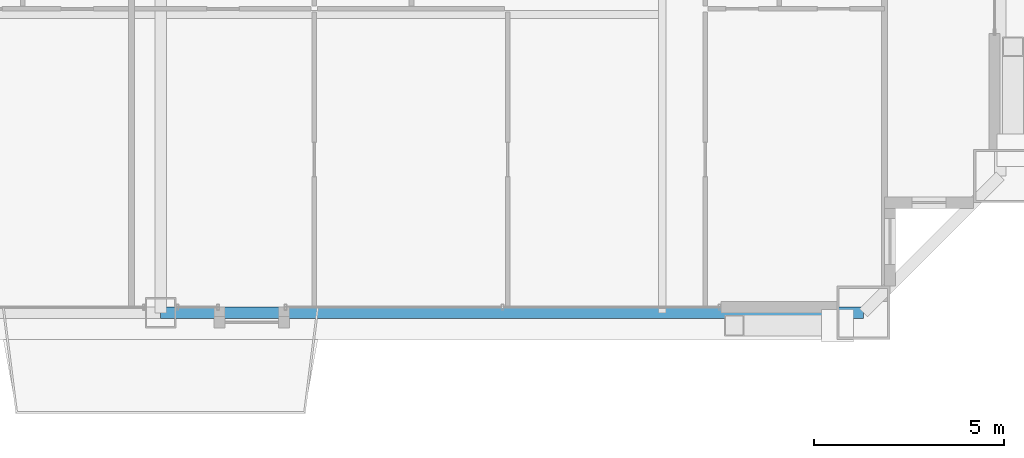
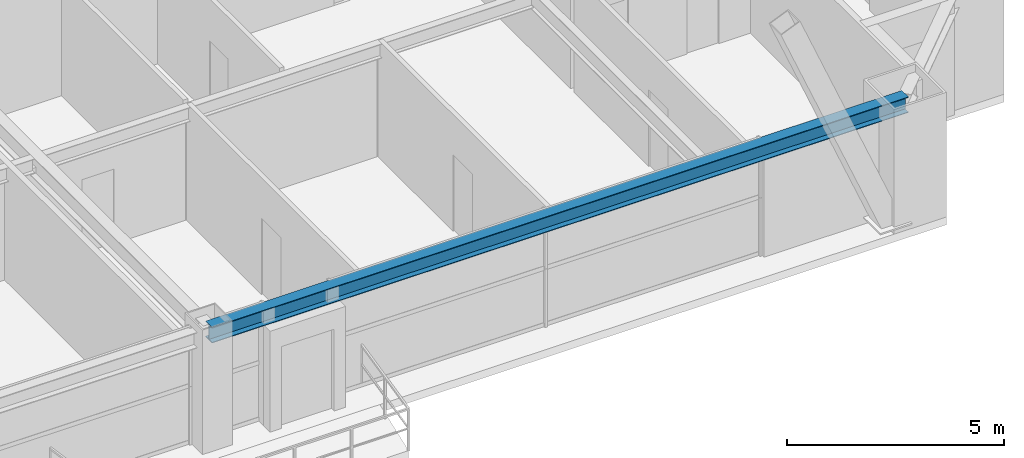
# One storey, part 11 of 45: 1 beam.
"""IFC4 building model written with IfcOpenShell, lengths in metres."""

from ifc_helpers import new_model, si_unit, direction, frame, origin, origin_2d, place, context, subcontext, project, spatial, i_section, extrude, source, transform, mapped, material, material_profile, profile_set, type_object, element, save


model = new_model("IFC4")

# Units and contexts
model_context = context("Model", 3, precision=1e-05, world=origin(), true_north=direction((0.0, 1.0)))
body_context = subcontext(model_context, "Body", "Model", "MODEL_VIEW")
ifc_project = project(units=[si_unit("LENGTHUNIT", "METRE"), si_unit("AREAUNIT", "SQUARE_METRE"), si_unit("VOLUMEUNIT", "CUBIC_METRE"), si_unit("PLANEANGLEUNIT", "RADIAN"), si_unit("MASSUNIT", "GRAM", prefix="KILO"), si_unit("THERMODYNAMICTEMPERATUREUNIT", "KELVIN"), si_unit("POWERUNIT", "WATT")], contexts=[model_context])

# Site, building, storey
site_placement = place(None, origin())
site = spatial("IfcSite", under=ifc_project, at=site_placement, CompositionType="ELEMENT")
building_placement = place(site_placement, origin())
building = spatial("IfcBuilding", under=site, at=building_placement, Name="Yuzanri Waterfront Tower", CompositionType="ELEMENT")
storey_placement = place(building_placement, frame((0.0, 0.0, 198.5)))
storey = spatial("IfcBuildingStorey", under=building, at=storey_placement, Name="L52", CompositionType="ELEMENT", Elevation=198.5)

# Beam
ifc_material = material(Name="Steel Q355B", Category="steel")
ifc_material_profile = material_profile(ifc_material, i_section(OverallWidth=0.300048828125, OverallDepth=0.43994140625, WebThickness=0.010986328125, FlangeThickness=0.01806640625, at=origin_2d()), Name="HM 440x300x11x18")
ifc_profile_set = profile_set([ifc_material_profile], Name="Steel Q355B")
beam_type = type_object("IfcBeamType", Name="Perimeter Spandrel Q355B HM 440x300", PredefinedType="SPANDREL", material=ifc_profile_set)
shared_shape = source(origin(), body_context, "Body", "SweptSolid", [
    extrude(i_section(OverallWidth=0.300048828125, OverallDepth=0.43994140625, WebThickness=0.010986328125, FlangeThickness=0.01806640625, at=origin_2d()), origin(), (0.0, 0.0, 1.0), 18.5),
])
beam_placement = place(storey_placement, frame((37.0, 3.699951171875, 3.06005859375), z_axis=(1.0, 0.0, 0.0), x_axis=(0.0, 1.0, 0.0)))
element("IfcBeam", 1, at=beam_placement, inside=storey, type_object=beam_type, Name="L52 Perimeter Spandrel S2-S3", PredefinedType="SPANDREL", context=body_context, shape_type="MappedRepresentation", body=[
    mapped(shared_shape, transform((0.0, 0.0, 0.0), scale=1.0)),
])

save(model, "model.ifc")
